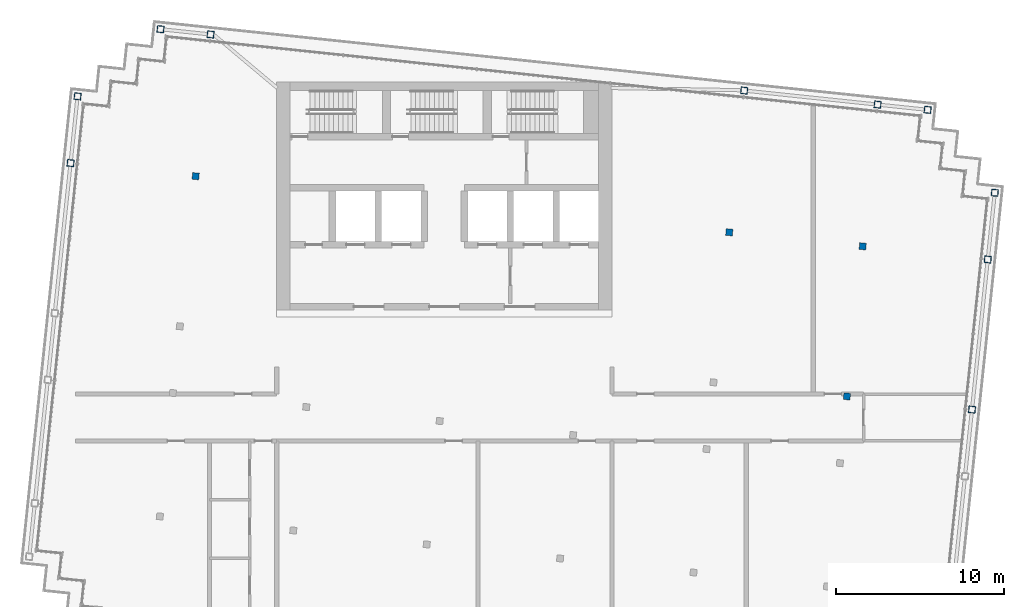
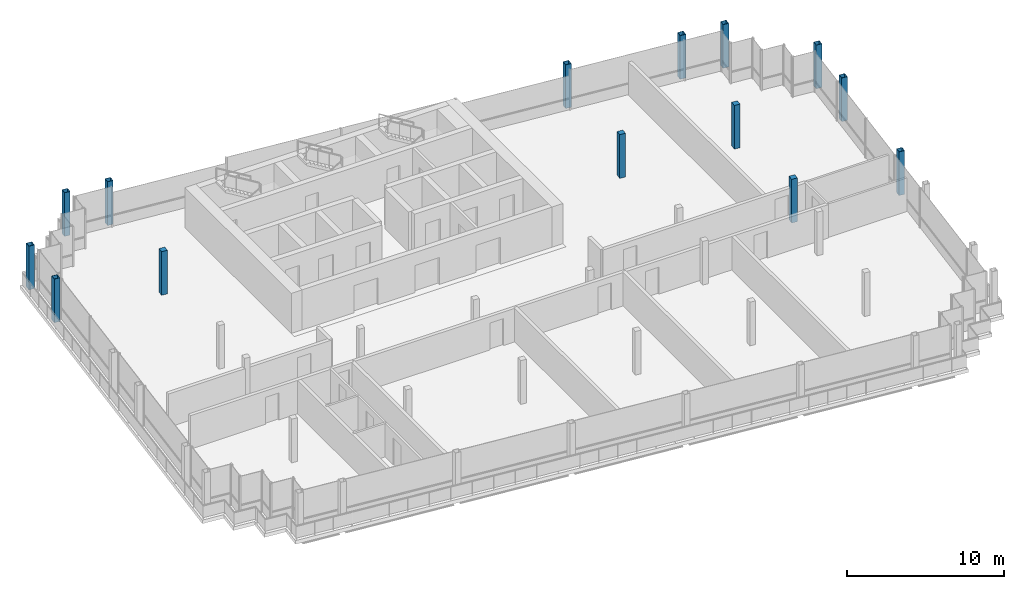
# One storey, part 2 of 15: 14 columns.
"""IFC4 building model written with IfcOpenShell, lengths in metres."""

from ifc_helpers import new_model, si_unit, direction, frame, origin, origin_2d, place, context, subcontext, project, spatial, rectangle, hollow_rectangle, extrude, material, material_profile, profile_set, type_object, element, save


model = new_model("IFC4")

# Units and contexts
model_context = context("Model", 3, precision=1e-05, world=origin(), true_north=direction((0.0, 1.0)))
body_context = subcontext(model_context, "Body", "Model", "MODEL_VIEW")
ifc_project = project(units=[si_unit("LENGTHUNIT", "METRE"), si_unit("AREAUNIT", "SQUARE_METRE"), si_unit("VOLUMEUNIT", "CUBIC_METRE"), si_unit("PLANEANGLEUNIT", "RADIAN"), si_unit("MASSUNIT", "GRAM", prefix="KILO")], contexts=[model_context])

# Site, building, storey
site_placement = place(None, origin())
site = spatial("IfcSite", under=ifc_project, at=site_placement, CompositionType="ELEMENT")
building_placement = place(site_placement, origin())
building = spatial("IfcBuilding", under=site, at=building_placement, Name="Vidyagriha Tower", CompositionType="ELEMENT")
storey_placement = place(building_placement, frame((0.0, 0.0, 291.5)))
storey = spatial("IfcBuildingStorey", under=building, at=storey_placement, Name="L75", CompositionType="ELEMENT", Elevation=291.5)

# Columns
ifc_material_1 = material(Name="Steel ASTM A572 Grade 50", Category="steel")
ifc_material_profile_1 = material_profile(ifc_material_1, hollow_rectangle(XDim=0.39990234375, YDim=0.39990234375, WallThickness=0.02001953125, at=origin_2d()), Name="BOX 400x400x20")
ifc_profile_set_1 = profile_set([ifc_material_profile_1], Name="Steel ASTM A572 Grade 50")
column_type_1 = type_object("IfcColumnType", Name="Exoskeleton column BOX 400x400x20", PredefinedType="COLUMN", material=ifc_profile_set_1)
for number, where, z_axis, x_axis, name in (
    (1, (31.4677734375, 0.47412109375, 0.0), (0.0, 0.0, 1.0), (0.994521895368, -0.104528463268, 0.0), "st-col-L75-B6-031"),
    (2, (-22.2900390625, 15.173828125, 0.0), (0.0, 0.0, 1.0), (0.994521895368, -0.104528463268, 0.0), "st-col-L75-B6-032"),
    (3, (32.40869140625, 9.4248046875, 0.0), (0.0, 0.0, 1.0), (0.994521895368, -0.104528463268, 0.0), "st-col-L75-B6-036"),
    (4, (-21.8720703125, 19.15185546875, 0.0), (0.0, 0.0, 1.0), (0.994521895368, -0.104528463268, 0.0), "st-col-L75-B6-037"),
    (5, (32.82666015625, 13.40283203125, 0.0), (0.0, 0.0, 1.0), (0.994521895368, -0.104528463268, 0.0), "st-col-L75-B6-038"),
    (6, (-16.92626953125, 23.156982421875, 0.0), (0.0, 0.0, 1.0), (0.994521895368, -0.104528463268, 0.0), "st-col-L75-B6-039"),
    (7, (-13.942626953125, 22.84326171875, 0.0), (0.0, 0.0, 1.0), (0.994521895368, -0.104528463268, 0.0), "st-col-L75-B6-040"),
    (8, (17.882080078125, 19.498291015625, 0.0), (0.0, 0.0, 1.0), (0.994521895368, -0.104528463268, 0.0), "st-col-L75-B6-041"),
    (9, (25.838134765625, 18.662109375, 0.0), (0.0, 0.0, 1.0), (0.994521895368, -0.104528463268, 0.0), "st-col-L75-B6-042"),
    (10, (28.82177734375, 18.3486328125, 0.0), (0.0, 0.0, 1.0), (0.994521895368, -0.104528463268, 0.0), "st-col-L75-B6-043"),
):
    element("IfcColumn", number, at=place(storey_placement, frame(where, z_axis=z_axis, x_axis=x_axis)), inside=storey, type_object=column_type_1, Name=name, PredefinedType="COLUMN", context=body_context, shape_type="SweptSolid", body=[
        extrude(hollow_rectangle(XDim=0.39990234375, YDim=0.39990234375, WallThickness=0.02001953125, at=origin_2d()), origin(), (0.0, 0.0, 1.0), 3.39990234375),
    ])
ifc_material_2 = material(Name="Concrete C60/75", Category="concrete")
ifc_material_profile_2 = material_profile(ifc_material_2, rectangle(XDim=0.39990234375, YDim=0.39990234375, at=origin_2d()), Name="RC 400x400")
ifc_profile_set_2 = profile_set([ifc_material_profile_2], Name="Concrete C60/75")
column_type_2 = type_object("IfcColumnType", Name="Frame column RC 400x400", PredefinedType="COLUMN", material=ifc_profile_set_2)
for number, where, z_axis, x_axis, name in (
    (11, (24.0087890625, 1.258056640625, 0.0), (0.0, 0.0, 1.0), (0.994521895368, -0.104528463268, 0.0), "st-col-L75-B6-030"),
    (12, (-14.831298828125, 14.389892578125, 0.0), (0.0, 0.0, 1.0), (0.994521895368, -0.104528463268, 0.0), "st-col-L75-B6-033"),
    (13, (16.993408203125, 11.044921875, 0.0), (0.0, 0.0, 1.0), (0.994521895368, -0.104528463268, 0.0), "st-col-L75-B6-034"),
    (14, (24.94970703125, 10.208740234375, 0.0), (0.0, 0.0, 1.0), (0.994521895368, -0.104528463268, 0.0), "st-col-L75-B6-035"),
):
    element("IfcColumn", number, at=place(storey_placement, frame(where, z_axis=z_axis, x_axis=x_axis)), inside=storey, type_object=column_type_2, Name=name, PredefinedType="COLUMN", context=body_context, shape_type="SweptSolid", body=[
        extrude(rectangle(XDim=0.39990234375, YDim=0.39990234375, at=origin_2d()), origin(), (0.0, 0.0, 1.0), 3.39990234375),
    ])

save(model, "model.ifc")
